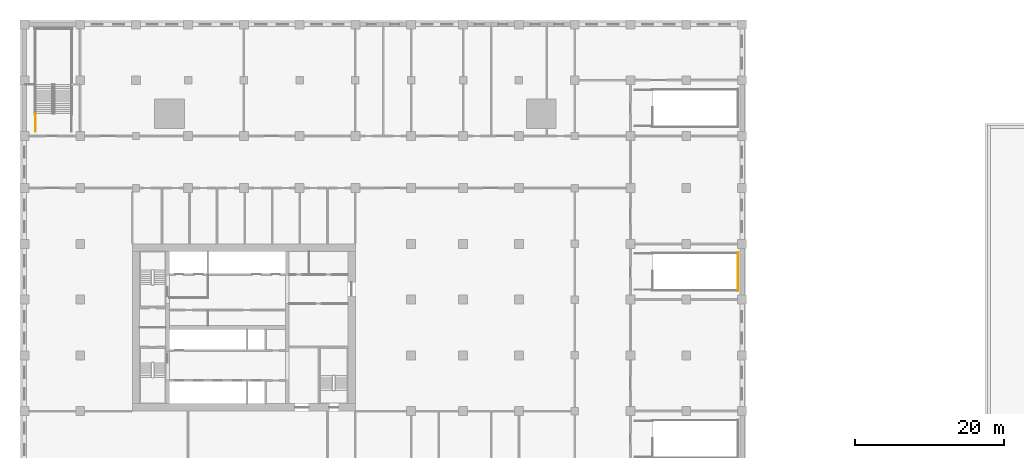
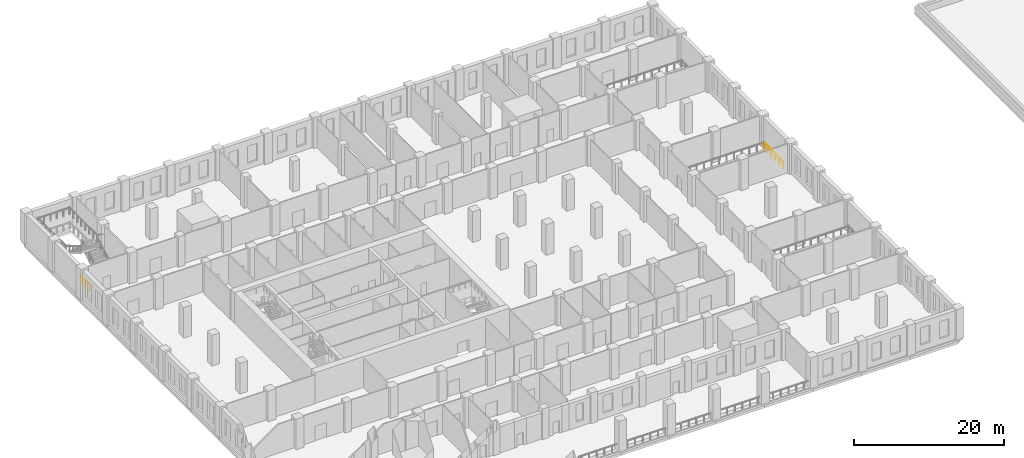
# One storey, part 20 of 22: 2 railings.
"""IFC4 building model written with IfcOpenShell, lengths in metres."""

from ifc_helpers import new_model, si_unit, direction, frame, origin, origin_2d, place, context, subcontext, project, spatial, circle, extrude, material, type_object, element, save


model = new_model("IFC4")

# Units and contexts
model_context = context("Model", 3, precision=1e-05, world=origin(), true_north=direction((0.0, 1.0)))
body_context = subcontext(model_context, "Body", "Model", "MODEL_VIEW")
ifc_project = project(units=[si_unit("LENGTHUNIT", "METRE"), si_unit("AREAUNIT", "SQUARE_METRE"), si_unit("VOLUMEUNIT", "CUBIC_METRE"), si_unit("PLANEANGLEUNIT", "RADIAN"), si_unit("MASSUNIT", "GRAM", prefix="KILO")], contexts=[model_context])

# Site, building, storey
site_placement = place(None, origin())
site = spatial("IfcSite", under=ifc_project, at=site_placement, CompositionType="ELEMENT")
building_placement = place(site_placement, origin())
building = spatial("IfcBuilding", under=site, at=building_placement, Name="Tamorin Gate", CompositionType="ELEMENT")
storey_placement = place(building_placement, frame((0.0, 0.0, 29.0)))
storey = spatial("IfcBuildingStorey", under=building, at=storey_placement, Name="L05", CompositionType="ELEMENT", Elevation=29.0)

# Railings
ifc_material = material(Name="Steel", Category="steel")
railing_type = type_object("IfcRailingType", Name="Podium guard 1100", PredefinedType="GUARDRAIL", material=ifc_material)
railing_1_placement = place(storey_placement, frame((16.97509765625, 97.60009765625, 0.0)))
element("IfcRailing", 1, at=railing_1_placement, inside=storey, type_object=railing_type, Name="L05 PS2 stair guard 9", PredefinedType="GUARDRAIL", context=body_context, shape_type="SweptSolid", body=[
    extrude(circle(Radius=0.02392578125, at=origin_2d()), frame((0.0, 0.0, 1.076171875), z_axis=(0.0, 1.0, 0.0), x_axis=(-1.0, 0.0, 0.0)), (0.0, 0.0, 1.0), 2.39990234375),
    extrude(circle(Radius=0.02099609375, at=origin_2d()), origin(), (0.0, 0.0, 1.0), 1.052001953125),
    extrude(circle(Radius=0.02099609375, at=origin_2d()), frame((0.0, 1.199951171875, 0.0)), (0.0, 0.0, 1.0), 1.052001953125),
    extrude(circle(Radius=0.02099609375, at=origin_2d()), frame((0.0, 2.39990234375, 0.0)), (0.0, 0.0, 1.0), 1.052001953125),
])
railing_2_placement = place(storey_placement, frame((111.449951171875, 76.175048828125, 0.0)))
element("IfcRailing", 2, at=railing_2_placement, inside=storey, type_object=railing_type, Name="L05 PS5 top well guard 4", PredefinedType="GUARDRAIL", context=body_context, shape_type="SweptSolid", body=[
    extrude(circle(Radius=0.02392578125, at=origin_2d()), frame((0.0, 0.0, 1.076171875), z_axis=(0.0, 1.0, 0.0), x_axis=(-1.0, 0.0, 0.0)), (0.0, 0.0, 1.0), 5.14990234375),
    extrude(circle(Radius=0.02099609375, at=origin_2d()), origin(), (0.0, 0.0, 1.0), 1.052001953125),
    extrude(circle(Radius=0.02099609375, at=origin_2d()), frame((0.0, 1.030029296875, 0.0)), (0.0, 0.0, 1.0), 1.052001953125),
    extrude(circle(Radius=0.02099609375, at=origin_2d()), frame((0.0, 2.06005859375, 0.0)), (0.0, 0.0, 1.0), 1.052001953125),
    extrude(circle(Radius=0.02099609375, at=origin_2d()), frame((0.0, 3.08984375, 0.0)), (0.0, 0.0, 1.0), 1.052001953125),
    extrude(circle(Radius=0.02099609375, at=origin_2d()), frame((0.0, 4.119873046875, 0.0)), (0.0, 0.0, 1.0), 1.052001953125),
    extrude(circle(Radius=0.02099609375, at=origin_2d()), frame((0.0, 5.14990234375, 0.0)), (0.0, 0.0, 1.0), 1.052001953125),
])

save(model, "model.ifc")
